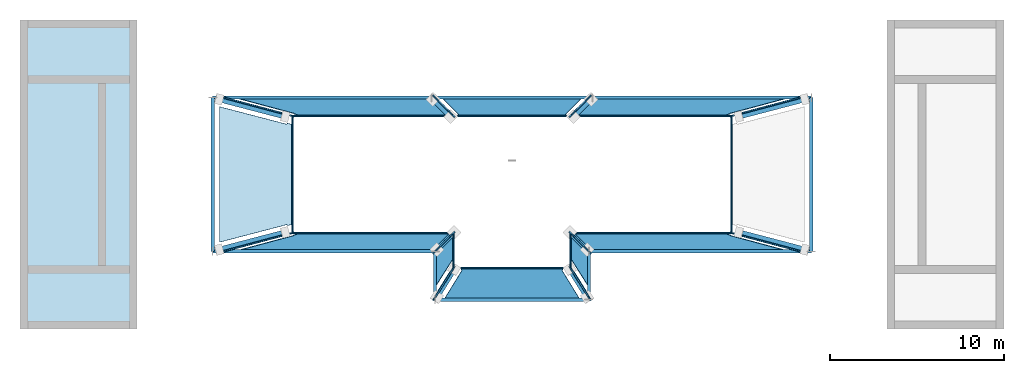
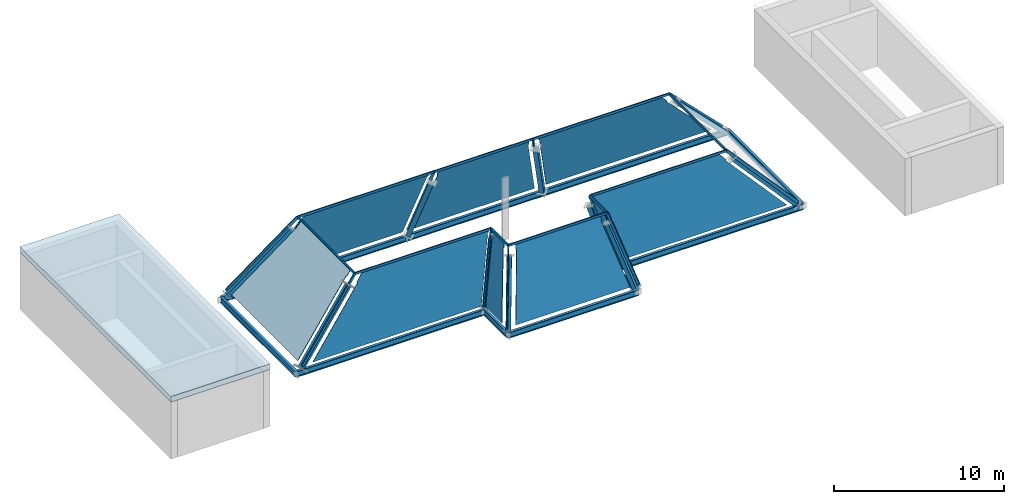
# One storey, part 1 of 4: 30 members, 10 beams, 9 plates, 1 slab, 10 elements without a shape of their own.
"""IFC4 building model written with IfcOpenShell, lengths in metres."""

from ifc_helpers import new_model, si_unit, direction, frame, origin, origin_2d, place, context, subcontext, project, spatial, polyline, rectangle, hollow_rectangle, i_section, outline, extrude, material, layer, layer_set, material_profile, profile_set, type_object, element, aggregate, save


model = new_model("IFC4")

# Units and contexts
model_context = context("Model", 3, precision=1e-05, world=origin(), true_north=direction((0.0, 1.0)))
body_context = subcontext(model_context, "Body", "Model", "MODEL_VIEW")
ifc_project = project(units=[si_unit("LENGTHUNIT", "METRE"), si_unit("AREAUNIT", "SQUARE_METRE"), si_unit("VOLUMEUNIT", "CUBIC_METRE"), si_unit("PLANEANGLEUNIT", "RADIAN"), si_unit("MASSUNIT", "GRAM", prefix="KILO")], contexts=[model_context])

# Site, building, storey
site_placement = place(None, origin())
site = spatial("IfcSite", under=ifc_project, at=site_placement, CompositionType="ELEMENT")
building_placement = place(site_placement, origin())
building = spatial("IfcBuilding", under=site, at=building_placement, Name="Perihelion Cross Residences", CompositionType="ELEMENT")
storey_placement = place(building_placement, frame((0.0, 0.0, 307.800048828125)))
storey = spatial("IfcBuildingStorey", under=building, at=storey_placement, Name="L78", CompositionType="ELEMENT", Elevation=307.800048828125)

# Curtain wall, member
ifc_material_1 = material(Name="Bronze anodised aluminium, tinted glazing", Category="aluminium")
curtain_wall_type = type_object("IfcCurtainWallType", Name="CW6", PredefinedType="NOTDEFINED", material=ifc_material_1)
curtain_wall_1_placement = place(storey_placement, origin())
curtain_wall_1 = element("IfcCurtainWall", 1, at=curtain_wall_1_placement, inside=storey, type_object=curtain_wall_type, Name="Curtain wall CW6 L78 crown 1", PredefinedType="NOTDEFINED")
ifc_material_2 = material(Name="Bronze anodised aluminium", Category="aluminium")
ifc_material_profile_1 = material_profile(ifc_material_2, rectangle(XDim=0.080078125, YDim=0.199951171875, at=origin_2d()), Name="CW6 mullion")
ifc_profile_set_1 = profile_set([ifc_material_profile_1], Name="Bronze anodised aluminium")
member_type_1 = type_object("IfcMemberType", Name="CW6 mullion", PredefinedType="MULLION", material=ifc_profile_set_1)
member_1_placement = place(storey_placement, frame((16.8662109375, -4.490966796875, 0.0), z_axis=(-0.67339544822, 0.179302335918, 0.717209343672), x_axis=(-0.257301191976, -0.966331256148, 0.0)))
member_1 = element("IfcMember", 2, at=member_1_placement, type_object=member_type_1, Name="Mullion CW6-M L78 crown 1", PredefinedType="MULLION", context=body_context, shape_type="SweptSolid", body=[
    extrude(rectangle(XDim=0.080078125, YDim=0.199951171875, at=origin_2d()), origin(), (0.0, 0.0, 1.0), 6.2744140625),
])

curtain_wall_2_placement = place(storey_placement, origin())
curtain_wall_2 = element("IfcCurtainWall", 3, at=curtain_wall_2_placement, inside=storey, type_object=curtain_wall_type, Name="Curtain wall CW6 L78 crown 2", PredefinedType="NOTDEFINED")
member_2_placement = place(storey_placement, frame((16.8662109375, 4.490966796875, 0.0), z_axis=(-0.67339544822, -0.179302335918, 0.717209343672), x_axis=(0.257301191976, -0.966331256148, 0.0)))
member_2 = element("IfcMember", 4, at=member_2_placement, type_object=member_type_1, Name="Mullion CW6-M L78 crown 2", PredefinedType="MULLION", context=body_context, shape_type="SweptSolid", body=[
    extrude(rectangle(XDim=0.080078125, YDim=0.199951171875, at=origin_2d()), origin(), (0.0, 0.0, 1.0), 6.2744140625),
])

curtain_wall_3_placement = place(storey_placement, origin())
curtain_wall_3 = element("IfcCurtainWall", 5, at=curtain_wall_3_placement, inside=storey, type_object=curtain_wall_type, Name="Curtain wall CW6 L78 crown 3", PredefinedType="NOTDEFINED")
member_3_placement = place(storey_placement, frame((4.490966796875, 4.490966796875, 0.0), z_axis=(-0.235702260396, -0.235702260396, 0.942809041582), x_axis=(0.707106781187, -0.707106781187, 0.0)))
member_3 = element("IfcMember", 6, at=member_3_placement, type_object=member_type_1, Name="Mullion CW6-M L78 crown 3", PredefinedType="MULLION", context=body_context, shape_type="SweptSolid", body=[
    extrude(rectangle(XDim=0.080078125, YDim=0.199951171875, at=origin_2d()), origin(), (0.0, 0.0, 1.0), 4.77294921875),
])

curtain_wall_4_placement = place(storey_placement, origin())
curtain_wall_4 = element("IfcCurtainWall", 7, at=curtain_wall_4_placement, inside=storey, type_object=curtain_wall_type, Name="Curtain wall CW6 L78 crown 4", PredefinedType="NOTDEFINED")
member_4_placement = place(storey_placement, frame((-4.490966796875, 4.490966796875, 0.0), z_axis=(0.235702260396, -0.235702260396, 0.942809041582), x_axis=(0.707106781187, 0.707106781187, 0.0)))
member_4 = element("IfcMember", 8, at=member_4_placement, type_object=member_type_1, Name="Mullion CW6-M L78 crown 4", PredefinedType="MULLION", context=body_context, shape_type="SweptSolid", body=[
    extrude(rectangle(XDim=0.080078125, YDim=0.199951171875, at=origin_2d()), origin(), (0.0, 0.0, 1.0), 4.77294921875),
])

curtain_wall_5_placement = place(storey_placement, origin())
curtain_wall_5 = element("IfcCurtainWall", 9, at=curtain_wall_5_placement, inside=storey, type_object=curtain_wall_type, Name="Curtain wall CW6 L78 crown 5", PredefinedType="NOTDEFINED")
member_5_placement = place(storey_placement, frame((-16.8662109375, 4.490966796875, 0.0), z_axis=(0.67339544822, -0.179302335918, 0.717209343672), x_axis=(0.257301191976, 0.966331256148, 0.0)))
member_5 = element("IfcMember", 10, at=member_5_placement, type_object=member_type_1, Name="Mullion CW6-M L78 crown 5", PredefinedType="MULLION", context=body_context, shape_type="SweptSolid", body=[
    extrude(rectangle(XDim=0.080078125, YDim=0.199951171875, at=origin_2d()), origin(), (0.0, 0.0, 1.0), 6.2744140625),
])

curtain_wall_6_placement = place(storey_placement, origin())
curtain_wall_6 = element("IfcCurtainWall", 11, at=curtain_wall_6_placement, inside=storey, type_object=curtain_wall_type, Name="Curtain wall CW6 L78 crown 6", PredefinedType="NOTDEFINED")
member_6_placement = place(storey_placement, frame((-16.8662109375, -4.490966796875, 0.0), z_axis=(0.67339544822, 0.179302335918, 0.717209343672), x_axis=(-0.257301191976, 0.966331256148, 0.0)))
member_6 = element("IfcMember", 12, at=member_6_placement, type_object=member_type_1, Name="Mullion CW6-M L78 crown 6", PredefinedType="MULLION", context=body_context, shape_type="SweptSolid", body=[
    extrude(rectangle(XDim=0.080078125, YDim=0.199951171875, at=origin_2d()), origin(), (0.0, 0.0, 1.0), 6.2744140625),
])

curtain_wall_7_placement = place(storey_placement, origin())
curtain_wall_7 = element("IfcCurtainWall", 13, at=curtain_wall_7_placement, inside=storey, type_object=curtain_wall_type, Name="Curtain wall CW6 L78 crown 7", PredefinedType="NOTDEFINED")
member_7_placement = place(storey_placement, frame((-4.490966796875, -4.490966796875, 0.0), z_axis=(0.235702260396, 0.235702260396, 0.942809041582), x_axis=(-0.707106781187, 0.707106781187, 0.0)))
member_7 = element("IfcMember", 14, at=member_7_placement, type_object=member_type_1, Name="Mullion CW6-M L78 crown 7", PredefinedType="MULLION", context=body_context, shape_type="SweptSolid", body=[
    extrude(rectangle(XDim=0.080078125, YDim=0.199951171875, at=origin_2d()), origin(), (0.0, 0.0, 1.0), 4.77294921875),
])

curtain_wall_8_placement = place(storey_placement, origin())
curtain_wall_8 = element("IfcCurtainWall", 15, at=curtain_wall_8_placement, inside=storey, type_object=curtain_wall_type, Name="Curtain wall CW6 L78 crown 8", PredefinedType="NOTDEFINED")
member_8_placement = place(storey_placement, frame((-4.490966796875, -7.185546875, 0.0), z_axis=(0.226107013059, 0.361781034567, 0.904428052237), x_axis=(-0.848004765453, 0.529988601547, 0.0)))
member_8 = element("IfcMember", 16, at=member_8_placement, type_object=member_type_1, Name="Mullion CW6-M L78 crown 8", PredefinedType="MULLION", context=body_context, shape_type="SweptSolid", body=[
    extrude(rectangle(XDim=0.080078125, YDim=0.199951171875, at=origin_2d()), origin(), (0.0, 0.0, 1.0), 4.9755859375),
])

curtain_wall_9_placement = place(storey_placement, origin())
curtain_wall_9 = element("IfcCurtainWall", 17, at=curtain_wall_9_placement, inside=storey, type_object=curtain_wall_type, Name="Curtain wall CW6 L78 crown 9", PredefinedType="NOTDEFINED")
member_9_placement = place(storey_placement, frame((4.490966796875, -7.185546875, 0.0), z_axis=(-0.226107013059, 0.361781034567, 0.904428052237), x_axis=(-0.848004765453, -0.529988601547, 0.0)))
member_9 = element("IfcMember", 18, at=member_9_placement, type_object=member_type_1, Name="Mullion CW6-M L78 crown 9", PredefinedType="MULLION", context=body_context, shape_type="SweptSolid", body=[
    extrude(rectangle(XDim=0.080078125, YDim=0.199951171875, at=origin_2d()), origin(), (0.0, 0.0, 1.0), 4.9755859375),
])

curtain_wall_10_placement = place(storey_placement, origin())
curtain_wall_10 = element("IfcCurtainWall", 19, at=curtain_wall_10_placement, inside=storey, type_object=curtain_wall_type, Name="Curtain wall CW6 L78 crown 10", PredefinedType="NOTDEFINED")
member_10_placement = place(storey_placement, frame((4.490966796875, -4.490966796875, 0.0), z_axis=(-0.235702260396, 0.235702260396, 0.942809041582), x_axis=(-0.707106781187, -0.707106781187, 0.0)))
member_10 = element("IfcMember", 20, at=member_10_placement, type_object=member_type_1, Name="Mullion CW6-M L78 crown 10", PredefinedType="MULLION", context=body_context, shape_type="SweptSolid", body=[
    extrude(rectangle(XDim=0.080078125, YDim=0.199951171875, at=origin_2d()), origin(), (0.0, 0.0, 1.0), 4.77294921875),
])

# Member
ifc_material_3 = material(Name="Bronze anodised aluminium", Category="aluminium")
ifc_material_profile_2 = material_profile(ifc_material_3, rectangle(XDim=0.080078125, YDim=0.159912109375, at=origin_2d()), Name="CW6 transom")
ifc_profile_set_2 = profile_set([ifc_material_profile_2], Name="Bronze anodised aluminium")
member_type_2 = type_object("IfcMemberType", Name="CW6 transom", PredefinedType="USERDEFINED", material=ifc_profile_set_2)
member_11_placement = place(storey_placement, frame((12.64111328125, -3.365966796875, 4.5), z_axis=(0.0, 1.0, 0.0), x_axis=(-1.0, 0.0, 0.0)))
member_11 = element("IfcMember", 21, at=member_11_placement, type_object=member_type_2, Name="Transom CW6-T L78 crown 1 top", ObjectType="TRANSOM", PredefinedType="USERDEFINED", context=body_context, shape_type="SweptSolid", body=[
    extrude(rectangle(XDim=0.080078125, YDim=0.159912109375, at=origin_2d()), origin(), (0.0, 0.0, 1.0), 6.73193359375),
])

aggregate(curtain_wall_1, [member_1, member_11])

member_12_placement = place(storey_placement, frame((12.64111328125, 3.365966796875, 4.5), z_axis=(-1.0, 0.0, 0.0), x_axis=(0.0, -1.0, 0.0)))
member_12 = element("IfcMember", 22, at=member_12_placement, type_object=member_type_2, Name="Transom CW6-T L78 crown 2 top", ObjectType="TRANSOM", PredefinedType="USERDEFINED", context=body_context, shape_type="SweptSolid", body=[
    extrude(rectangle(XDim=0.080078125, YDim=0.159912109375, at=origin_2d()), origin(), (0.0, 0.0, 1.0), 9.275146484375),
])

member_13_placement = place(storey_placement, frame((3.365966796875, 3.365966796875, 4.5), z_axis=(-1.0, 0.0, 0.0), x_axis=(0.0, -1.0, 0.0)))
member_13 = element("IfcMember", 23, at=member_13_placement, type_object=member_type_2, Name="Transom CW6-T L78 crown 3 top", ObjectType="TRANSOM", PredefinedType="USERDEFINED", context=body_context, shape_type="SweptSolid", body=[
    extrude(rectangle(XDim=0.080078125, YDim=0.159912109375, at=origin_2d()), origin(), (0.0, 0.0, 1.0), 6.73193359375),
])

member_14_placement = place(storey_placement, frame((-3.365966796875, 3.365966796875, 4.5), z_axis=(-1.0, 0.0, 0.0), x_axis=(0.0, -1.0, 0.0)))
member_14 = element("IfcMember", 24, at=member_14_placement, type_object=member_type_2, Name="Transom CW6-T L78 crown 4 top", ObjectType="TRANSOM", PredefinedType="USERDEFINED", context=body_context, shape_type="SweptSolid", body=[
    extrude(rectangle(XDim=0.080078125, YDim=0.159912109375, at=origin_2d()), origin(), (0.0, 0.0, 1.0), 9.275146484375),
])

member_15_placement = place(storey_placement, frame((-12.64111328125, 3.365966796875, 4.5), z_axis=(0.0, -1.0, 0.0), x_axis=(1.0, 0.0, 0.0)))
member_15 = element("IfcMember", 25, at=member_15_placement, type_object=member_type_2, Name="Transom CW6-T L78 crown 5 top", ObjectType="TRANSOM", PredefinedType="USERDEFINED", context=body_context, shape_type="SweptSolid", body=[
    extrude(rectangle(XDim=0.080078125, YDim=0.159912109375, at=origin_2d()), origin(), (0.0, 0.0, 1.0), 6.73193359375),
])

member_16_placement = place(storey_placement, frame((-12.64111328125, -3.365966796875, 4.5), z_axis=(1.0, 0.0, 0.0), x_axis=(0.0, 1.0, 0.0)))
member_16 = element("IfcMember", 26, at=member_16_placement, type_object=member_type_2, Name="Transom CW6-T L78 crown 6 top", ObjectType="TRANSOM", PredefinedType="USERDEFINED", context=body_context, shape_type="SweptSolid", body=[
    extrude(rectangle(XDim=0.080078125, YDim=0.159912109375, at=origin_2d()), origin(), (0.0, 0.0, 1.0), 9.275146484375),
])

member_17_placement = place(storey_placement, frame((-3.365966796875, -3.365966796875, 4.5), z_axis=(0.0, -1.0, 0.0), x_axis=(1.0, 0.0, 0.0)))
member_17 = element("IfcMember", 27, at=member_17_placement, type_object=member_type_2, Name="Transom CW6-T L78 crown 7 top", ObjectType="TRANSOM", PredefinedType="USERDEFINED", context=body_context, shape_type="SweptSolid", body=[
    extrude(rectangle(XDim=0.080078125, YDim=0.159912109375, at=origin_2d()), origin(), (0.0, 0.0, 1.0), 2.01953125),
])

member_18_placement = place(storey_placement, frame((-3.365966796875, -5.385498046875, 4.5), z_axis=(1.0, 0.0, 0.0), x_axis=(0.0, 1.0, 0.0)))
member_18 = element("IfcMember", 28, at=member_18_placement, type_object=member_type_2, Name="Transom CW6-T L78 crown 8 top", ObjectType="TRANSOM", PredefinedType="USERDEFINED", context=body_context, shape_type="SweptSolid", body=[
    extrude(rectangle(XDim=0.080078125, YDim=0.159912109375, at=origin_2d()), origin(), (0.0, 0.0, 1.0), 6.73193359375),
])

member_19_placement = place(storey_placement, frame((3.365966796875, -5.385498046875, 4.5), z_axis=(0.0, 1.0, 0.0), x_axis=(-1.0, 0.0, 0.0)))
member_19 = element("IfcMember", 29, at=member_19_placement, type_object=member_type_2, Name="Transom CW6-T L78 crown 9 top", ObjectType="TRANSOM", PredefinedType="USERDEFINED", context=body_context, shape_type="SweptSolid", body=[
    extrude(rectangle(XDim=0.080078125, YDim=0.159912109375, at=origin_2d()), origin(), (0.0, 0.0, 1.0), 2.01953125),
])

member_20_placement = place(storey_placement, frame((3.365966796875, -3.365966796875, 4.5), z_axis=(1.0, 0.0, 0.0), x_axis=(0.0, 1.0, 0.0)))
member_20 = element("IfcMember", 30, at=member_20_placement, type_object=member_type_2, Name="Transom CW6-T L78 crown 10 top", ObjectType="TRANSOM", PredefinedType="USERDEFINED", context=body_context, shape_type="SweptSolid", body=[
    extrude(rectangle(XDim=0.080078125, YDim=0.159912109375, at=origin_2d()), origin(), (0.0, 0.0, 1.0), 9.275146484375),
])

# Members
ifc_material_4 = material(Name="Steel S355", Category="steel")
ifc_material_profile_3 = material_profile(ifc_material_4, hollow_rectangle(XDim=0.304931640625, YDim=0.304931640625, WallThickness=0.0126953125, at=origin_2d()), Name="HSS304.8x304.8x12.7")
ifc_profile_set_3 = profile_set([ifc_material_profile_3], Name="Steel S355")
member_type_3 = type_object("IfcMemberType", Name="Crown leg HSS304.8x304.8x12.7", PredefinedType="BRACE", material=ifc_profile_set_3)
for number, where, z_axis, x_axis, name in (
    (31, (16.875732421875, -4.330810546875, -0.25), (-0.671310327961, 0.175706609057, 0.720048353311), (-0.25320731985, -0.967412038986, 0.0), "Crown leg CR3 L78 1 no. 1"),
    (32, (16.875732421875, 4.330810546875, -0.25), (-0.671310327961, -0.175706609057, 0.720048353311), (0.25320731985, -0.967412038986, 0.0), "Crown leg CR3 L78 2 no. 1"),
):
    element("IfcMember", number, at=place(storey_placement, frame(where, z_axis=z_axis, x_axis=x_axis)), inside=storey, type_object=member_type_3, Name=name, PredefinedType="BRACE", context=body_context, shape_type="SweptSolid", body=[
        extrude(hollow_rectangle(XDim=0.304931640625, YDim=0.304931640625, WallThickness=0.0126953125, at=origin_2d()), origin(), (0.0, 0.0, 1.0), 5.67041015625),
    ])
for number, where, z_axis, x_axis, name in (
    (33, (4.552734375, 4.330810546875, -0.25), (-0.235852394998, -0.230376645282, 0.944086992328), (0.698753788222, -0.71536224631, 0.0), "Crown leg CR3 L78 3 no. 1"),
    (34, (-4.552734375, 4.330810546875, -0.25), (0.235852394998, -0.230376645282, 0.944086992328), (0.698753788222, 0.71536224631, 0.0), "Crown leg CR3 L78 4 no. 1"),
):
    element("IfcMember", number, at=place(storey_placement, frame(where, z_axis=z_axis, x_axis=x_axis)), inside=storey, type_object=member_type_3, Name=name, PredefinedType="BRACE", context=body_context, shape_type="SweptSolid", body=[
        extrude(hollow_rectangle(XDim=0.304931640625, YDim=0.304931640625, WallThickness=0.0126953125, at=origin_2d()), origin(), (0.0, 0.0, 1.0), 4.32470703125),
    ])
for number, where, z_axis, x_axis, name in (
    (35, (-16.875732421875, 4.330810546875, -0.25), (0.671310327961, -0.175706609057, 0.720048353311), (0.25320731985, 0.967412038986, 0.0), "Crown leg CR3 L78 5 no. 1"),
    (36, (-16.875732421875, -4.330810546875, -0.25), (0.671310327961, 0.175706609057, 0.720048353311), (-0.25320731985, 0.967412038986, 0.0), "Crown leg CR3 L78 6 no. 1"),
):
    element("IfcMember", number, at=place(storey_placement, frame(where, z_axis=z_axis, x_axis=x_axis)), inside=storey, type_object=member_type_3, Name=name, PredefinedType="BRACE", context=body_context, shape_type="SweptSolid", body=[
        extrude(hollow_rectangle(XDim=0.304931640625, YDim=0.304931640625, WallThickness=0.0126953125, at=origin_2d()), origin(), (0.0, 0.0, 1.0), 5.67041015625),
    ])
member_21_placement = place(storey_placement, frame((-4.330810546875, -4.330810546875, -0.25), z_axis=(0.230671279979, 0.230671279979, 0.945294409793), x_axis=(-0.707106781187, 0.707106781187, 0.0)))
element("IfcMember", 37, at=member_21_placement, inside=storey, type_object=member_type_3, Name="Crown leg CR3 L78 7 no. 1", PredefinedType="BRACE", context=body_context, shape_type="SweptSolid", body=[
    extrude(hollow_rectangle(XDim=0.304931640625, YDim=0.304931640625, WallThickness=0.0126953125, at=origin_2d()), origin(), (0.0, 0.0, 1.0), 4.3193359375),
])
for number, where, z_axis, x_axis, name in (
    (38, (-4.330810546875, -7.0625, -0.25), (0.221405208294, 0.357416690086, 0.907321907257), (-0.850108358436, 0.5266078037, 0.0), "Crown leg CR3 L78 8 no. 1"),
    (39, (4.330810546875, -7.0625, -0.25), (-0.221405208294, 0.357416690086, 0.907321907257), (-0.850108358436, -0.5266078037, 0.0), "Crown leg CR3 L78 9 no. 1"),
):
    element("IfcMember", number, at=place(storey_placement, frame(where, z_axis=z_axis, x_axis=x_axis)), inside=storey, type_object=member_type_3, Name=name, PredefinedType="BRACE", context=body_context, shape_type="SweptSolid", body=[
        extrude(hollow_rectangle(XDim=0.304931640625, YDim=0.304931640625, WallThickness=0.0126953125, at=origin_2d()), origin(), (0.0, 0.0, 1.0), 4.5),
    ])
member_22_placement = place(storey_placement, frame((4.330810546875, -4.330810546875, -0.25), z_axis=(-0.230671279979, 0.230671279979, 0.945294409793), x_axis=(-0.707106781187, -0.707106781187, 0.0)))
element("IfcMember", 40, at=member_22_placement, inside=storey, type_object=member_type_3, Name="Crown leg CR3 L78 10 no. 1", PredefinedType="BRACE", context=body_context, shape_type="SweptSolid", body=[
    extrude(hollow_rectangle(XDim=0.304931640625, YDim=0.304931640625, WallThickness=0.0126953125, at=origin_2d()), origin(), (0.0, 0.0, 1.0), 4.3193359375),
])

# Beams
ifc_material_5 = material(Name="Steel S355", Category="steel")
ifc_material_profile_4 = material_profile(ifc_material_5, i_section(OverallWidth=0.180908203125, OverallDepth=0.4169921875, WebThickness=0.010986328125, FlangeThickness=0.018310546875, at=origin_2d()), Name="W410x85")
ifc_profile_set_4 = profile_set([ifc_material_profile_4], Name="Steel S355")
beam_type = type_object("IfcBeamType", Name="Crown ring beam W410x85", PredefinedType="BEAM", material=ifc_profile_set_4)
beam_1_placement = place(storey_placement, frame((17.24462890625, -4.42822265625, -0.45849609375), z_axis=(0.0, 1.0, 0.0), x_axis=(-1.0, 0.0, 0.0)))
element("IfcBeam", 41, at=beam_1_placement, inside=storey, type_object=beam_type, Name="Crown ring beam CB1 L78 no. 1", PredefinedType="BEAM", context=body_context, shape_type="SweptSolid", body=[
    extrude(i_section(OverallWidth=0.180908203125, OverallDepth=0.4169921875, WebThickness=0.010986328125, FlangeThickness=0.018310546875, at=origin_2d()), origin(), (0.0, 0.0, 1.0), 8.8564453125),
])
beam_2_placement = place(storey_placement, frame((17.24462890625, 4.42822265625, -0.45849609375), z_axis=(-1.0, 0.0, 0.0), x_axis=(0.0, -1.0, 0.0)))
element("IfcBeam", 42, at=beam_2_placement, inside=storey, type_object=beam_type, Name="Crown ring beam CB1 L78 no. 2", PredefinedType="BEAM", context=body_context, shape_type="SweptSolid", body=[
    extrude(i_section(OverallWidth=0.180908203125, OverallDepth=0.4169921875, WebThickness=0.010986328125, FlangeThickness=0.018310546875, at=origin_2d()), origin(), (0.0, 0.0, 1.0), 12.593505859375),
])
beam_3_placement = place(storey_placement, frame((4.651123046875, 4.42822265625, -0.45849609375), z_axis=(-1.0, 0.0, 0.0), x_axis=(0.0, -1.0, 0.0)))
element("IfcBeam", 43, at=beam_3_placement, inside=storey, type_object=beam_type, Name="Crown ring beam CB1 L78 no. 3", PredefinedType="BEAM", context=body_context, shape_type="SweptSolid", body=[
    extrude(i_section(OverallWidth=0.180908203125, OverallDepth=0.4169921875, WebThickness=0.010986328125, FlangeThickness=0.018310546875, at=origin_2d()), origin(), (0.0, 0.0, 1.0), 9.30224609375),
])
beam_4_placement = place(storey_placement, frame((-4.651123046875, 4.42822265625, -0.45849609375), z_axis=(-1.0, 0.0, 0.0), x_axis=(0.0, -1.0, 0.0)))
element("IfcBeam", 44, at=beam_4_placement, inside=storey, type_object=beam_type, Name="Crown ring beam CB1 L78 no. 4", PredefinedType="BEAM", context=body_context, shape_type="SweptSolid", body=[
    extrude(i_section(OverallWidth=0.180908203125, OverallDepth=0.4169921875, WebThickness=0.010986328125, FlangeThickness=0.018310546875, at=origin_2d()), origin(), (0.0, 0.0, 1.0), 12.593505859375),
])
beam_5_placement = place(storey_placement, frame((-17.24462890625, 4.42822265625, -0.45849609375), z_axis=(0.0, -1.0, 0.0), x_axis=(1.0, 0.0, 0.0)))
element("IfcBeam", 45, at=beam_5_placement, inside=storey, type_object=beam_type, Name="Crown ring beam CB1 L78 no. 5", PredefinedType="BEAM", context=body_context, shape_type="SweptSolid", body=[
    extrude(i_section(OverallWidth=0.180908203125, OverallDepth=0.4169921875, WebThickness=0.010986328125, FlangeThickness=0.018310546875, at=origin_2d()), origin(), (0.0, 0.0, 1.0), 8.8564453125),
])
beam_6_placement = place(storey_placement, frame((-17.24462890625, -4.42822265625, -0.45849609375), z_axis=(1.0, 0.0, 0.0), x_axis=(0.0, 1.0, 0.0)))
element("IfcBeam", 46, at=beam_6_placement, inside=storey, type_object=beam_type, Name="Crown ring beam CB1 L78 no. 6", PredefinedType="BEAM", context=body_context, shape_type="SweptSolid", body=[
    extrude(i_section(OverallWidth=0.180908203125, OverallDepth=0.4169921875, WebThickness=0.010986328125, FlangeThickness=0.018310546875, at=origin_2d()), origin(), (0.0, 0.0, 1.0), 12.81640625),
])
beam_7_placement = place(storey_placement, frame((-4.42822265625, -4.42822265625, -0.45849609375), z_axis=(0.0, -1.0, 0.0), x_axis=(1.0, 0.0, 0.0)))
element("IfcBeam", 47, at=beam_7_placement, inside=storey, type_object=beam_type, Name="Crown ring beam CB1 L78 no. 7", PredefinedType="BEAM", context=body_context, shape_type="SweptSolid", body=[
    extrude(i_section(OverallWidth=0.180908203125, OverallDepth=0.4169921875, WebThickness=0.010986328125, FlangeThickness=0.018310546875, at=origin_2d()), origin(), (0.0, 0.0, 1.0), 2.79052734375),
])
beam_8_placement = place(storey_placement, frame((-4.42822265625, -7.21875, -0.45849609375), z_axis=(1.0, 0.0, 0.0), x_axis=(0.0, 1.0, 0.0)))
element("IfcBeam", 48, at=beam_8_placement, inside=storey, type_object=beam_type, Name="Crown ring beam CB1 L78 no. 8", PredefinedType="BEAM", context=body_context, shape_type="SweptSolid", body=[
    extrude(i_section(OverallWidth=0.180908203125, OverallDepth=0.4169921875, WebThickness=0.010986328125, FlangeThickness=0.018310546875, at=origin_2d()), origin(), (0.0, 0.0, 1.0), 8.8564453125),
])
beam_9_placement = place(storey_placement, frame((4.42822265625, -7.21875, -0.45849609375), z_axis=(0.0, 1.0, 0.0), x_axis=(-1.0, 0.0, 0.0)))
element("IfcBeam", 49, at=beam_9_placement, inside=storey, type_object=beam_type, Name="Crown ring beam CB1 L78 no. 9", PredefinedType="BEAM", context=body_context, shape_type="SweptSolid", body=[
    extrude(i_section(OverallWidth=0.180908203125, OverallDepth=0.4169921875, WebThickness=0.010986328125, FlangeThickness=0.018310546875, at=origin_2d()), origin(), (0.0, 0.0, 1.0), 2.79052734375),
])
beam_10_placement = place(storey_placement, frame((4.42822265625, -4.42822265625, -0.45849609375), z_axis=(1.0, 0.0, 0.0), x_axis=(0.0, 1.0, 0.0)))
element("IfcBeam", 50, at=beam_10_placement, inside=storey, type_object=beam_type, Name="Crown ring beam CB1 L78 no. 10", PredefinedType="BEAM", context=body_context, shape_type="SweptSolid", body=[
    extrude(i_section(OverallWidth=0.180908203125, OverallDepth=0.4169921875, WebThickness=0.010986328125, FlangeThickness=0.018310546875, at=origin_2d()), origin(), (0.0, 0.0, 1.0), 12.81640625),
])

# Plate
ifc_material_6 = material(Name="Tinted laminated glass", Category="glass")
ifc_layer_1 = layer(ifc_material_6, 0.033935546875)
ifc_layer_set_1 = layer_set([ifc_layer_1], Name="CW6 panel")
plate_type = type_object("IfcPlateType", Name="CW6 panel", PredefinedType="CURTAIN_PANEL", material=ifc_layer_set_1)
plate_1_placement = place(storey_placement, frame((3.718017578125, 3.37451171875, 4.466064453125), z_axis=(-4.079853e-06, 0.970149212799, 0.242508772809), x_axis=(0.220819864699, 0.236523223055, -0.946200482091)))
plate_1 = element("IfcPlate", 51, at=plate_1_placement, type_object=plate_type, Name="Curtain wall panel CW6-P L78 crown 2", PredefinedType="CURTAIN_PANEL", context=body_context, shape_type="SweptSolid", body=[
    extrude(outline(polyline([(0.0, 0.0), (0.16252465084178894, 6.938893903907228e-18), (0.16164927841012125, -0.06102592041722573), (4.713855334543367, -0.13127293910359483), (7.199911789800159, -11.111658168241078), (2.5095103694072667, -8.467370610434697), (2.4769715768107368, -8.525302294958808), (1.8569139208237184, -8.201595802411664), (0.0, 0.0)])), origin(), (0.0, 0.0, -1.0), 0.033935546875),
])

aggregate(curtain_wall_2, [member_2, member_12, plate_1])

plate_2_placement = place(storey_placement, frame((-3.06689453125, 3.37451171875, 4.466064453125), z_axis=(0.0, 0.970149272497, 0.242508534022), x_axis=(-0.220913189824, 0.236516990886, -0.946180255334)))
plate_2 = element("IfcPlate", 52, at=plate_2_placement, type_object=plate_type, Name="Curtain wall panel CW6-P L78 crown 3", PredefinedType="CURTAIN_PANEL", context=body_context, shape_type="SweptSolid", body=[
    extrude(outline(polyline([(0.0, 0.0), (0.31607084577270433, 0.0), (0.31707825924227634, -0.06631406604742367), (4.684366039555343, 0.0005763870447498265), (2.871863925975395, -8.001306553390823), (-1.04032973916813, -6.059035301686373), (-1.069814243513445, -6.1184426601628426), (-1.3550349075040946, -5.982244450261957), (0.0, 0.0)])), origin(), (0.0, 0.0, -1.0), 0.033935546875),
])

aggregate(curtain_wall_3, [member_3, member_13, plate_2])

plate_3_placement = place(storey_placement, frame((-12.127197265625, 3.37451171875, 4.466064453125), z_axis=(4.079853e-06, 0.970149212799, 0.242508772809), x_axis=(-0.647114431101, 0.184889524574, -0.739634218221)))
plate_3 = element("IfcPlate", 53, at=plate_3_placement, type_object=plate_type, Name="Curtain wall panel CW6-P L78 crown 4", PredefinedType="CURTAIN_PANEL", context=body_context, shape_type="SweptSolid", body=[
    extrude(outline(polyline([(0.0, 0.0), (0.6994693632070595, 0.0), (0.7015038555469095, -0.06641320603886153), (6.083143937295898, 0.10700018244665), (-1.2022649679258253, -8.476248244734087), (-5.270162409095739, -6.431810662108053), (-5.2976285231032785, -6.486313339299074), (-5.44170152950204, -6.411098773166789), (0.0, 0.0)])), origin(), (0.0, 0.0, -1.0), 0.033935546875),
])

aggregate(curtain_wall_4, [member_4, member_14, plate_3])

plate_4_placement = place(storey_placement, frame((-12.6650390625, -2.880859375, 4.474365234375), z_axis=(-0.729020595716, 0.0, 0.684491761106), x_axis=(-0.674199584634, -0.172761032734, -0.718058873385)))
plate_4 = element("IfcPlate", 54, at=plate_4_placement, type_object=plate_type, Name="Curtain wall panel CW6-P L78 crown 5", PredefinedType="CURTAIN_PANEL", context=body_context, shape_type="SweptSolid", body=[
    extrude(outline(polyline([(0.0, 0.0), (0.4310167023590624, 0.0), (0.4311556382332712, -0.06422208267244536), (6.187606862529101, -0.04697865552795044), (4.83883921000069, -7.736717765426109), (-0.568125218096178, -5.7614295062670156), (-0.5901123509811355, -5.8217707126973055), (-0.9954004815707835, -5.67508421394698), (0.0, 0.0)])), origin(), (0.0, 0.0, -1.0), 0.033935546875),
])

aggregate(curtain_wall_5, [member_5, member_15, plate_4])

plate_5_placement = place(storey_placement, frame((-3.52099609375, -3.37451171875, 4.466064453125), z_axis=(9.442964e-06, -0.970149504638, 0.242507605164), x_axis=(-0.220524955506, -0.236539411351, -0.946265211702)))
plate_5 = element("IfcPlate", 55, at=plate_5_placement, type_object=plate_type, Name="Curtain wall panel CW6-P L78 crown 6", PredefinedType="CURTAIN_PANEL", context=body_context, shape_type="SweptSolid", body=[
    extrude(outline(polyline([(0.0, 0.0), (0.16384908917242552, 0.0), (0.16334389410028727, -0.06193899578878037), (4.708539195133349, -0.10936146838963834), (7.239999859917105, -11.306005725156302), (2.550398188777849, -8.660300084317553), (2.5178418812684895, -8.718221927981693), (1.8978821305066502, -8.394327967317077), (0.0, 0.0)])), origin(), (0.0, 0.0, -1.0), 0.033935546875),
])

aggregate(curtain_wall_6, [member_6, member_16, plate_5])

plate_6_placement = place(storey_placement, frame((-3.37451171875, -4.893310546875, 4.466064453125), z_axis=(-0.970150532064, 3.5366391e-05, 0.242503492522), x_axis=(-0.228036459003, -0.340361026336, -0.912224613304)))
plate_6 = element("IfcPlate", 56, at=plate_6_placement, type_object=plate_type, Name="Curtain wall panel CW6-P L78 crown 7", PredefinedType="CURTAIN_PANEL", context=body_context, shape_type="SweptSolid", body=[
    extrude(outline(polyline([(0.0, 0.0), (0.3837549552954534, 0.0), (0.3851422874708596, -0.06645140252568085), (4.863951117908817, 0.014818967215512124), (4.218378653649247, -1.768665053143251), (-0.29729282774284604, -1.2492805226668158), (-0.30451061296624526, -1.3107996028217355), (-0.46708235572184836, -1.2903801877251393), (0.0, 0.0)])), origin(), (0.0, 0.0, -1.0), 0.033935546875),
])

aggregate(curtain_wall_7, [member_7, member_17, plate_6])

plate_7_placement = place(storey_placement, frame((2.874755859375, -5.398681640625, 4.467529296875), z_axis=(0.0, -0.928482807556, 0.371375384311), x_axis=(0.213063741538, -0.3628479746, -0.907163265003)))
plate_7 = element("IfcPlate", 57, at=plate_7_placement, type_object=plate_type, Name="Curtain wall panel CW6-P L78 crown 8", PredefinedType="CURTAIN_PANEL", context=body_context, shape_type="SweptSolid", body=[
    extrude(outline(polyline([(0.0, 0.0), (0.31511073348486496, 6.938893903907228e-18), (0.31571621742444805, -0.06510038459544938), (4.883224421156643, -0.026145840734721815), (3.2257383224359724, -7.6268168441351785), (-0.9108567868384637, -5.689749589346351), (-0.9385113785904606, -5.748687270334892), (-1.2250124788121959, -5.6174931625056725), (0.0, 0.0)])), origin(), (0.0, 0.0, -1.0), 0.033935546875),
])

aggregate(curtain_wall_8, [member_8, member_18, plate_7])

plate_8_placement = place(storey_placement, frame((3.37451171875, -3.52099609375, 4.466064453125), z_axis=(0.970150532064, 3.5366391e-05, 0.242503492522), x_axis=(0.236540945669, -0.22052496536, -0.946264825868)))
plate_8 = element("IfcPlate", 58, at=plate_8_placement, type_object=plate_type, Name="Curtain wall panel CW6-P L78 crown 9", PredefinedType="CURTAIN_PANEL", context=body_context, shape_type="SweptSolid", body=[
    extrude(outline(polyline([(0.0, 0.0), (0.16384908917242552, 0.0), (0.16334389445096537, -0.06193898953672625), (4.708539196238277, -0.10936142058620035), (5.126815186444163, -1.959395002309115), (0.6930507581917698, -1.320594245131552), (0.6833928480472329, -1.386354707111643), (0.30262959723867716, -1.3385298961081866), (0.0, 0.0)])), origin(), (0.0, 0.0, -1.0), 0.033935546875),
])

aggregate(curtain_wall_9, [member_9, member_19, plate_8])

plate_9_placement = place(storey_placement, frame((12.127197265625, -3.37451171875, 4.466064453125), z_axis=(-9.442964e-06, -0.970149504638, 0.242507605164), x_axis=(0.647114431462, -0.184892001247, -0.739633598797)))
plate_9 = element("IfcPlate", 59, at=plate_9_placement, type_object=plate_type, Name="Curtain wall panel CW6-P L78 crown 10", PredefinedType="CURTAIN_PANEL", context=body_context, shape_type="SweptSolid", body=[
    extrude(outline(polyline([(0.0, 0.0), (0.6994693632070595, 0.0), (0.7015038555469095, -0.06641320603886153), (6.083143937307087, 0.10700017935133088), (-1.345243136153076, -8.644696867323862), (-5.395739336216442, -6.582045721658932), (-5.423972833047421, -6.637177963388055), (-5.5691969783820205, -6.561306548253839), (0.0, 0.0)])), origin(), (0.0, 0.0, -1.0), 0.033935546875),
])

aggregate(curtain_wall_10, [member_10, member_20, plate_9])

# Slab
ifc_material_7 = material(Name="Concrete C50/60", Category="concrete")
ifc_layer_2 = layer(ifc_material_7, 0.39990234375)
ifc_layer_set_2 = layer_set([ifc_layer_2], Name="Stack roof slab 400")
slab_type = type_object("IfcSlabType", Name="Stack roof slab 400", PredefinedType="ROOF", material=ifc_layer_set_2)
slab_placement = place(storey_placement, frame((0.0, 0.0, 4.099853515625)))
element("IfcSlab", 60, at=slab_placement, inside=storey, type_object=slab_type, Name="West core stack roof, step 1", PredefinedType="ROOF", context=body_context, shape_type="SweptSolid", body=[
    extrude(outline(polyline([(-21.60009765625, 8.89990234375), (-28.35009765625, 8.89990234375), (-28.35009765625, -8.89990234375), (-21.60009765625, -8.89990234375), (-21.60009765625, 8.89990234375)])), origin(), (0.0, 0.0, 1.0), 0.400146484375),
])

save(model, "model.ifc")
